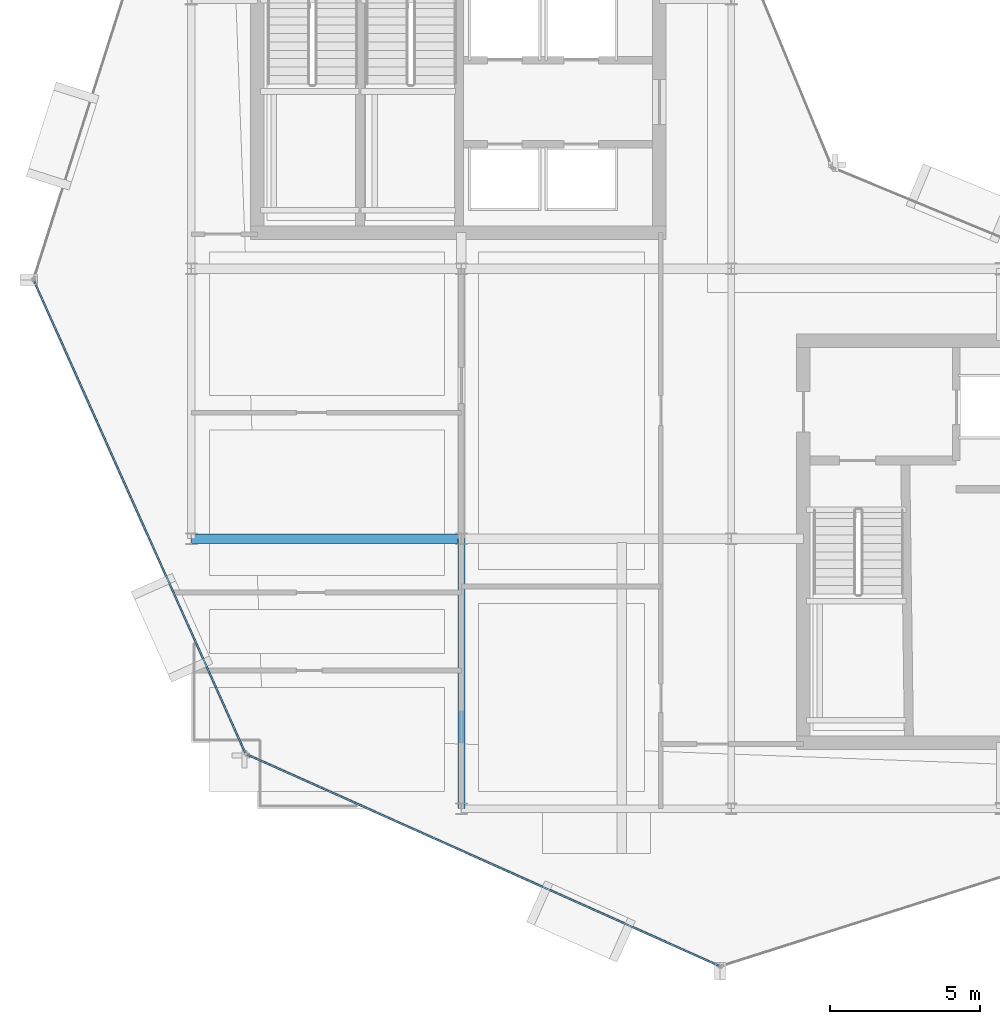
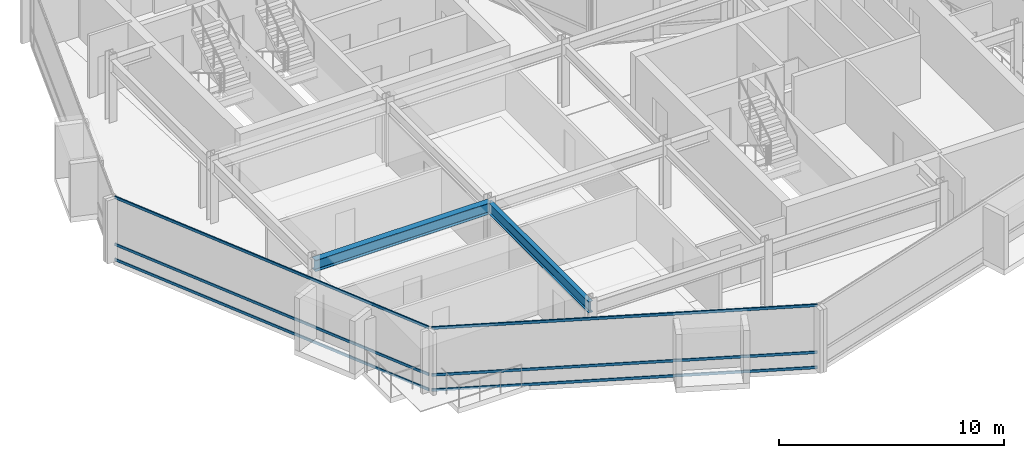
# One storey, part 3 of 19: 6 members, 2 beams, 2 elements without a shape of their own.
"""IFC4 building model written with IfcOpenShell, lengths in metres."""

from ifc_helpers import new_model, si_unit, direction, frame, origin, origin_2d, place, context, subcontext, project, spatial, hollow_rectangle, i_section, extrude, material, layer, layer_set, material_profile, profile_set, type_object, element, aggregate, save


model = new_model("IFC4")

# Units and contexts
model_context = context("Model", 3, precision=1e-05, world=origin(), true_north=direction((0.0, 1.0)))
body_context = subcontext(model_context, "Body", "Model", "MODEL_VIEW")
ifc_project = project(units=[si_unit("LENGTHUNIT", "METRE"), si_unit("AREAUNIT", "SQUARE_METRE"), si_unit("VOLUMEUNIT", "CUBIC_METRE"), si_unit("PLANEANGLEUNIT", "RADIAN"), si_unit("MASSUNIT", "GRAM", prefix="KILO")], contexts=[model_context])

# Site, building, storey
site_placement = place(None, origin())
site = spatial("IfcSite", under=ifc_project, at=site_placement, CompositionType="ELEMENT")
building_placement = place(site_placement, origin())
building = spatial("IfcBuilding", under=site, at=building_placement, Name="Solvaryn Broadcast Tower", CompositionType="ELEMENT")
storey_placement = place(building_placement, frame((0.0, 0.0, 240.800048828125)))
storey = spatial("IfcBuildingStorey", under=building, at=storey_placement, Name="L60", CompositionType="ELEMENT", Elevation=240.800048828125)

# Beams
ifc_material_1 = material(Name="Steel ASTM A992 Grade 50", Category="steel")
ifc_material_profile_1 = material_profile(ifc_material_1, i_section(OverallWidth=0.323974609375, OverallDepth=0.611083984375, WebThickness=0.0126953125, FlangeThickness=0.01904296875, FilletRadius=0.014892578125, at=origin_2d()))
ifc_profile_set_1 = profile_set([ifc_material_profile_1], Name="Steel ASTM A992 Grade 50")
beam_type_1 = type_object("IfcBeamType", Name="BM-B1-W24X104", PredefinedType="BEAM", material=ifc_profile_set_1)
beam_1_placement = place(storey_placement, frame((9.0, 18.0, 3.114501953125), z_axis=(1.0, 0.0, 0.0), x_axis=(0.0, 1.0, 0.0)))
element("IfcBeam", 1, at=beam_1_placement, inside=storey, type_object=beam_type_1, Name="L60 Primary Beam X (9-18 @ Y=18)", PredefinedType="BEAM", context=body_context, shape_type="SweptSolid", body=[
    extrude(i_section(OverallWidth=0.323974609375, OverallDepth=0.611083984375, WebThickness=0.0126953125, FlangeThickness=0.01904296875, FilletRadius=0.014892578125, at=origin_2d()), origin(), (0.0, 0.0, 1.0), 9.0),
])
ifc_material_2 = material(Name="Steel ASTM A992 Grade 50", Category="steel")
ifc_material_profile_2 = material_profile(ifc_material_2, i_section(OverallWidth=0.22802734375, OverallDepth=0.60791015625, WebThickness=0.01123046875, FlangeThickness=0.017333984375, FilletRadius=0.014892578125, at=origin_2d()))
ifc_profile_set_2 = profile_set([ifc_material_profile_2], Name="Steel ASTM A992 Grade 50")
beam_type_2 = type_object("IfcBeamType", Name="BM-B2-W24X76", PredefinedType="BEAM", material=ifc_profile_set_2)
beam_2_placement = place(storey_placement, frame((18.0, 9.0, 3.115966796875), z_axis=(0.0, 1.0, 0.0), x_axis=(-1.0, 0.0, 0.0)))
element("IfcBeam", 2, at=beam_2_placement, inside=storey, type_object=beam_type_2, Name="L60 Primary Beam Y (9-18 @ X=18)", PredefinedType="BEAM", context=body_context, shape_type="SweptSolid", body=[
    extrude(i_section(OverallWidth=0.22802734375, OverallDepth=0.60791015625, WebThickness=0.01123046875, FlangeThickness=0.017333984375, FilletRadius=0.014892578125, at=origin_2d()), origin(), (0.0, 0.0, 1.0), 9.0),
])

# Curtain wall, members
ifc_material_3 = material(Name="Aluminium and Terracotta Unitised Curtain Wall", Category="masonry")
ifc_layer = layer(ifc_material_3, 0.199951171875)
ifc_layer_set = layer_set([ifc_layer], Name="CW-SYS2-LOWMID")
curtain_wall_type = type_object("IfcCurtainWallType", Name="CW-SYS2-LOWMID", PredefinedType="NOTDEFINED", material=ifc_layer_set)
curtain_wall_1_placement = place(storey_placement, origin())
curtain_wall_1 = element("IfcCurtainWall", 3, at=curtain_wall_1_placement, inside=storey, type_object=curtain_wall_type, Name="L60 Curtain Wall DR2", PredefinedType="NOTDEFINED")
ifc_material_4 = material(Name="Anodised Aluminium 6063-T6", Category="aluminium")
ifc_material_profile_3 = material_profile(ifc_material_4, hollow_rectangle(XDim=0.06494140625, YDim=0.14990234375, WallThickness=0.00390625, InnerFilletRadius=0.00390625, OuterFilletRadius=0.008056640625, at=origin_2d()))
ifc_profile_set_3 = profile_set([ifc_material_profile_3], Name="Anodised Aluminium 6063-T6")
member_type = type_object("IfcMemberType", Name="CW-TRN-150", PredefinedType="USERDEFINED", material=ifc_profile_set_3)
member_1_placement = place(storey_placement, frame((3.762451171875, 26.581298828125, 0.030029296875), z_axis=(0.408468080937, -0.912772604133, 0.0), x_axis=(0.912772604133, 0.408468080937, 0.0)))
member_1 = element("IfcMember", 4, at=member_1_placement, type_object=member_type, Name="CWS2 transom 1.1", ObjectType="TRANSOM", PredefinedType="USERDEFINED", context=body_context, shape_type="SweptSolid", body=[
    extrude(hollow_rectangle(XDim=0.06494140625, YDim=0.14990234375, WallThickness=0.00390625, InnerFilletRadius=0.00390625, OuterFilletRadius=0.008056640625, at=origin_2d()), origin(), (0.0, 0.0, 1.0), 17.210693359375),
])
member_2_placement = place(storey_placement, frame((3.762451171875, 26.581298828125, 0.849853515625), z_axis=(0.408468080937, -0.912772604133, 0.0), x_axis=(0.912772604133, 0.408468080937, 0.0)))
member_2 = element("IfcMember", 5, at=member_2_placement, type_object=member_type, Name="CWS2 transom 1.2", ObjectType="TRANSOM", PredefinedType="USERDEFINED", context=body_context, shape_type="SweptSolid", body=[
    extrude(hollow_rectangle(XDim=0.06494140625, YDim=0.14990234375, WallThickness=0.00390625, InnerFilletRadius=0.00390625, OuterFilletRadius=0.008056640625, at=origin_2d()), origin(), (0.0, 0.0, 1.0), 17.210693359375),
])
member_3_placement = place(storey_placement, frame((3.762451171875, 26.581298828125, 3.389892578125), z_axis=(0.408468080937, -0.912772604133, 0.0), x_axis=(0.912772604133, 0.408468080937, 0.0)))
member_3 = element("IfcMember", 6, at=member_3_placement, type_object=member_type, Name="CWS2 transom 1.3", ObjectType="TRANSOM", PredefinedType="USERDEFINED", context=body_context, shape_type="SweptSolid", body=[
    extrude(hollow_rectangle(XDim=0.06494140625, YDim=0.14990234375, WallThickness=0.00390625, InnerFilletRadius=0.00390625, OuterFilletRadius=0.008056640625, at=origin_2d()), origin(), (0.0, 0.0, 1.0), 17.210693359375),
])
aggregate(curtain_wall_1, [member_1, member_2, member_3])

curtain_wall_2_placement = place(storey_placement, origin())
curtain_wall_2 = element("IfcCurtainWall", 7, at=curtain_wall_2_placement, inside=storey, type_object=curtain_wall_type, Name="L60 Curtain Wall DR3", PredefinedType="NOTDEFINED")
member_4_placement = place(storey_placement, frame((10.871826171875, 10.79248046875, 0.030029296875), z_axis=(0.912772604133, -0.408468080937, 0.0), x_axis=(0.408468080937, 0.912772604133, 0.0)))
member_4 = element("IfcMember", 8, at=member_4_placement, type_object=member_type, Name="CWS2 transom 1.1", ObjectType="TRANSOM", PredefinedType="USERDEFINED", context=body_context, shape_type="SweptSolid", body=[
    extrude(hollow_rectangle(XDim=0.06494140625, YDim=0.14990234375, WallThickness=0.00390625, InnerFilletRadius=0.00390625, OuterFilletRadius=0.008056640625, at=origin_2d()), origin(), (0.0, 0.0, 1.0), 17.210693359375),
])
member_5_placement = place(storey_placement, frame((10.871826171875, 10.79248046875, 0.849853515625), z_axis=(0.912772604133, -0.408468080937, 0.0), x_axis=(0.408468080937, 0.912772604133, 0.0)))
member_5 = element("IfcMember", 9, at=member_5_placement, type_object=member_type, Name="CWS2 transom 1.2", ObjectType="TRANSOM", PredefinedType="USERDEFINED", context=body_context, shape_type="SweptSolid", body=[
    extrude(hollow_rectangle(XDim=0.06494140625, YDim=0.14990234375, WallThickness=0.00390625, InnerFilletRadius=0.00390625, OuterFilletRadius=0.008056640625, at=origin_2d()), origin(), (0.0, 0.0, 1.0), 17.210693359375),
])
member_6_placement = place(storey_placement, frame((10.871826171875, 10.79248046875, 3.389892578125), z_axis=(0.912772604133, -0.408468080937, 0.0), x_axis=(0.408468080937, 0.912772604133, 0.0)))
member_6 = element("IfcMember", 10, at=member_6_placement, type_object=member_type, Name="CWS2 transom 1.3", ObjectType="TRANSOM", PredefinedType="USERDEFINED", context=body_context, shape_type="SweptSolid", body=[
    extrude(hollow_rectangle(XDim=0.06494140625, YDim=0.14990234375, WallThickness=0.00390625, InnerFilletRadius=0.00390625, OuterFilletRadius=0.008056640625, at=origin_2d()), origin(), (0.0, 0.0, 1.0), 17.210693359375),
])
aggregate(curtain_wall_2, [member_4, member_5, member_6])

save(model, "model.ifc")
